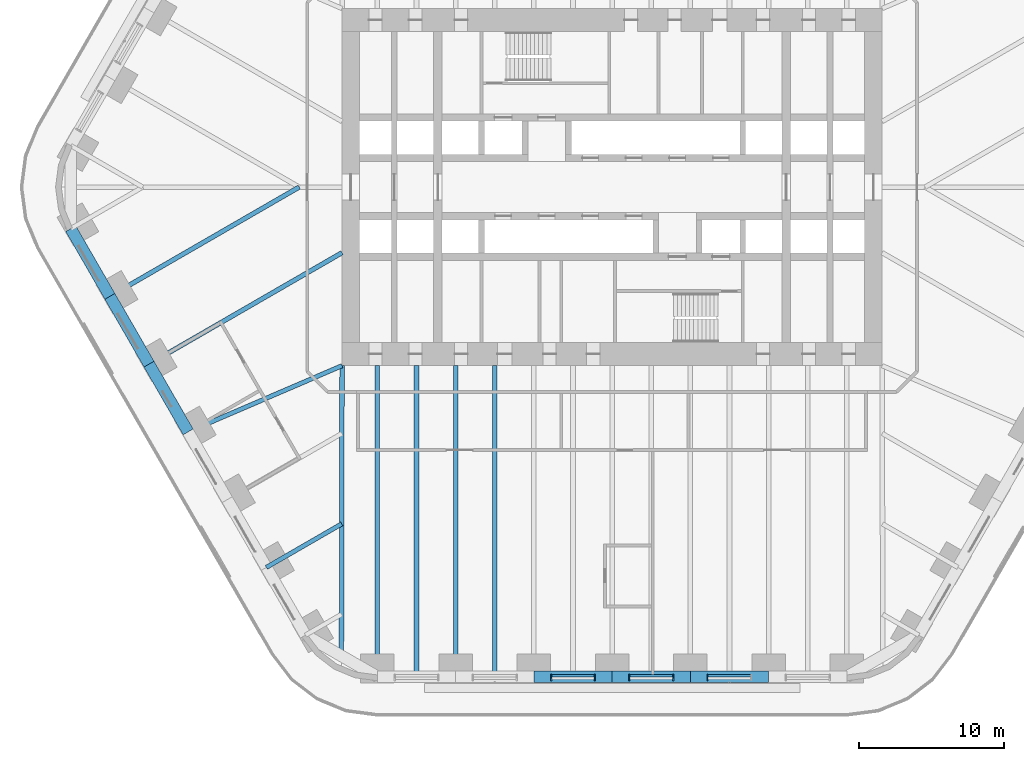
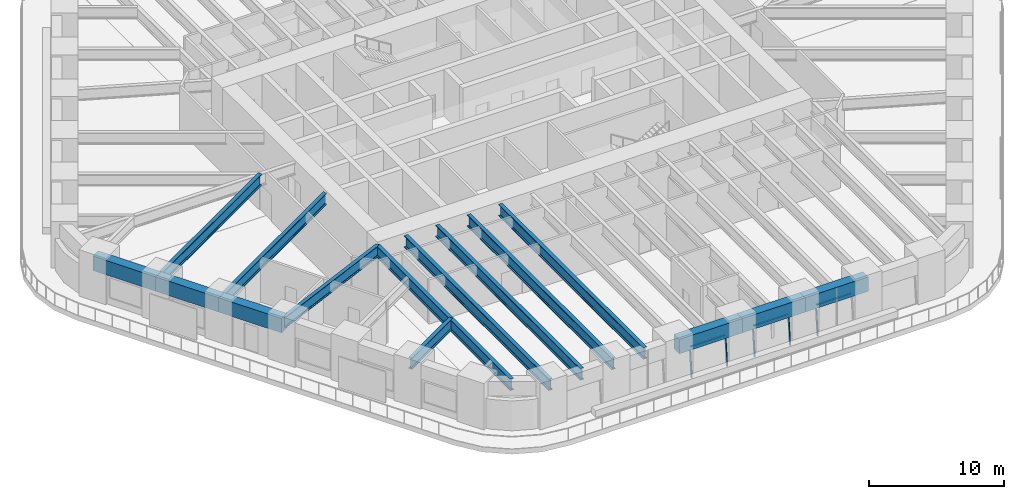
# One storey, part 3 of 23: 15 beams, 8 members, 3 elements without a shape of their own.
"""IFC4 building model written with IfcOpenShell, lengths in metres."""

from ifc_helpers import new_model, si_unit, direction, frame, origin, origin_2d, place, context, subcontext, project, spatial, rectangle, i_section, extrude, material, material_profile, profile_set, type_object, element, aggregate, save


model = new_model("IFC4")

# Units and contexts
model_context = context("Model", 3, precision=1e-05, world=origin(), true_north=direction((0.0, 1.0)))
body_context = subcontext(model_context, "Body", "Model", "MODEL_VIEW")
ifc_project = project(units=[si_unit("LENGTHUNIT", "METRE"), si_unit("AREAUNIT", "SQUARE_METRE"), si_unit("VOLUMEUNIT", "CUBIC_METRE"), si_unit("PLANEANGLEUNIT", "RADIAN"), si_unit("MASSUNIT", "GRAM", prefix="KILO")], contexts=[model_context])

# Site, building, storey
site_placement = place(None, origin())
site = spatial("IfcSite", under=ifc_project, at=site_placement, CompositionType="ELEMENT")
building_placement = place(site_placement, origin())
building = spatial("IfcBuilding", under=site, at=building_placement, Name="Tarfa Lantern Tower", CompositionType="ELEMENT")
storey_placement = place(building_placement, frame((0.0, 0.0, 27.699951171875)))
storey = spatial("IfcBuildingStorey", under=building, at=storey_placement, Name="L05", CompositionType="ELEMENT", Elevation=27.699951171875)

# Curtain wall, members
ifc_material_1 = material(Name="Aluminium framed curtain wall", Category="aluminium")
curtain_wall_type = type_object("IfcCurtainWallType", Name="CW1 CANTED GLAZING LOW ZONE 2700", PredefinedType="USERDEFINED", material=ifc_material_1)
curtain_wall_1_placement = place(storey_placement, origin())
curtain_wall_1 = element("IfcCurtainWall", 1, at=curtain_wall_1_placement, inside=storey, type_object=curtain_wall_type, Name="CW1 S L05", ObjectType="CURTAIN WALL", PredefinedType="USERDEFINED")
ifc_material_2 = material(Name="Aluminium mullion", Category="aluminium")
ifc_material_profile_1 = material_profile(ifc_material_2, rectangle(XDim=0.06494140625, YDim=0.199951171875, at=origin_2d()), Name="AL MULLION 65x200")
ifc_profile_set_1 = profile_set([ifc_material_profile_1], Name="Aluminium mullion")
member_type_1 = type_object("IfcMemberType", Name="CWM1 MULLION 65x200", PredefinedType="MULLION", material=ifc_profile_set_1)
member_1_placement = place(storey_placement, frame((-4.2060546875, -33.89990234375, 0.0), z_axis=(0.0, 0.092199863775, 0.995740520979), x_axis=(-1.0, 0.0, 0.0)))
member_1 = element("IfcMember", 2, at=member_1_placement, type_object=member_type_1, Name="CW1 mullion 1", PredefinedType="MULLION", context=body_context, shape_type="SweptSolid", body=[
    extrude(rectangle(XDim=0.06494140625, YDim=0.199951171875, at=origin_2d()), origin(), (0.0, 0.0, 1.0), 2.71142578125),
])
member_2_placement = place(storey_placement, frame((-1.1826171875, -33.89990234375, 0.0), z_axis=(0.0, 0.092199863775, 0.995740520979), x_axis=(-1.0, 0.0, 0.0)))
member_2 = element("IfcMember", 3, at=member_2_placement, type_object=member_type_1, Name="CW1 mullion 2", PredefinedType="MULLION", context=body_context, shape_type="SweptSolid", body=[
    extrude(rectangle(XDim=0.06494140625, YDim=0.199951171875, at=origin_2d()), origin(), (0.0, 0.0, 1.0), 2.71142578125),
])

curtain_wall_2_placement = place(storey_placement, origin())
curtain_wall_2 = element("IfcCurtainWall", 4, at=curtain_wall_2_placement, inside=storey, type_object=curtain_wall_type, Name="CW1 S L05", ObjectType="CURTAIN WALL", PredefinedType="USERDEFINED")
member_3_placement = place(storey_placement, frame((1.1826171875, -33.89990234375, 0.0), z_axis=(0.0, 0.092199863775, 0.995740520979), x_axis=(-1.0, 0.0, 0.0)))
member_3 = element("IfcMember", 5, at=member_3_placement, type_object=member_type_1, Name="CW1 mullion 1", PredefinedType="MULLION", context=body_context, shape_type="SweptSolid", body=[
    extrude(rectangle(XDim=0.06494140625, YDim=0.199951171875, at=origin_2d()), origin(), (0.0, 0.0, 1.0), 2.71142578125),
])
member_4_placement = place(storey_placement, frame((4.2060546875, -33.89990234375, 0.0), z_axis=(0.0, 0.092199863775, 0.995740520979), x_axis=(-1.0, 0.0, 0.0)))
member_4 = element("IfcMember", 6, at=member_4_placement, type_object=member_type_1, Name="CW1 mullion 2", PredefinedType="MULLION", context=body_context, shape_type="SweptSolid", body=[
    extrude(rectangle(XDim=0.06494140625, YDim=0.199951171875, at=origin_2d()), origin(), (0.0, 0.0, 1.0), 2.71142578125),
])

# Curtain wall, member
curtain_wall_3_placement = place(storey_placement, origin())
curtain_wall_3 = element("IfcCurtainWall", 7, at=curtain_wall_3_placement, inside=storey, type_object=curtain_wall_type, Name="CW1 S L05", ObjectType="CURTAIN WALL", PredefinedType="USERDEFINED")
member_5_placement = place(storey_placement, frame((6.571044921875, -33.89990234375, 0.0), z_axis=(0.0, 0.092199863775, 0.995740520979), x_axis=(-1.0, 0.0, 0.0)))
member_5 = element("IfcMember", 8, at=member_5_placement, type_object=member_type_1, Name="CW1 mullion 1", PredefinedType="MULLION", context=body_context, shape_type="SweptSolid", body=[
    extrude(rectangle(XDim=0.06494140625, YDim=0.199951171875, at=origin_2d()), origin(), (0.0, 0.0, 1.0), 2.71142578125),
])

# Member
ifc_material_3 = material(Name="Aluminium transom", Category="aluminium")
ifc_material_profile_2 = material_profile(ifc_material_3, rectangle(XDim=0.14990234375, YDim=0.06494140625, at=origin_2d()), Name="AL TRANSOM 150x65")
ifc_profile_set_2 = profile_set([ifc_material_profile_2], Name="Aluminium transom")
member_type_2 = type_object("IfcMemberType", Name="CWT1 TRANSOM 150x65", PredefinedType="USERDEFINED", material=ifc_profile_set_2)
member_6_placement = place(storey_placement, frame((-4.173583984375, -33.653076171875, 2.66748046875), z_axis=(1.0, 0.0, 0.0), x_axis=(0.0, 1.0, 0.0)))
member_6 = element("IfcMember", 9, at=member_6_placement, type_object=member_type_2, Name="CW1 transom 1.2", ObjectType="TRANSOM", PredefinedType="USERDEFINED", context=body_context, shape_type="SweptSolid", body=[
    extrude(rectangle(XDim=0.14990234375, YDim=0.06494140625, at=origin_2d()), origin(), (0.0, 0.0, 1.0), 2.95849609375),
])

aggregate(curtain_wall_1, [member_1, member_2, member_6])

member_7_placement = place(storey_placement, frame((1.215087890625, -33.653076171875, 2.66748046875), z_axis=(1.0, 0.0, 0.0), x_axis=(0.0, 1.0, 0.0)))
member_7 = element("IfcMember", 10, at=member_7_placement, type_object=member_type_2, Name="CW1 transom 1.2", ObjectType="TRANSOM", PredefinedType="USERDEFINED", context=body_context, shape_type="SweptSolid", body=[
    extrude(rectangle(XDim=0.14990234375, YDim=0.06494140625, at=origin_2d()), origin(), (0.0, 0.0, 1.0), 2.95849609375),
])

aggregate(curtain_wall_2, [member_3, member_4, member_7])

member_8_placement = place(storey_placement, frame((6.603515625, -33.653076171875, 2.66748046875), z_axis=(1.0, 0.0, 0.0), x_axis=(0.0, 1.0, 0.0)))
member_8 = element("IfcMember", 11, at=member_8_placement, type_object=member_type_2, Name="CW1 transom 1.2", ObjectType="TRANSOM", PredefinedType="USERDEFINED", context=body_context, shape_type="SweptSolid", body=[
    extrude(rectangle(XDim=0.14990234375, YDim=0.06494140625, at=origin_2d()), origin(), (0.0, 0.0, 1.0), 2.958740234375),
])

aggregate(curtain_wall_3, [member_5, member_8])

# Beams
ifc_material_4 = material(Name="Concrete C80/95", Category="concrete")
ifc_material_profile_3 = material_profile(ifc_material_4, rectangle(XDim=0.800048828125, YDim=1.300048828125, at=origin_2d()), Name="RC 800x1300")
ifc_profile_set_3 = profile_set([ifc_material_profile_3], Name="Concrete C80/95")
beam_type_1 = type_object("IfcBeamType", Name="EB1 RC 800x1300", PredefinedType="SPANDREL", material=ifc_profile_set_3)
beam_1_placement = place(storey_placement, frame((-37.285400390625, -2.860107421875, 3.35009765625), z_axis=(0.500017906299, -0.866015065331, 0.0), x_axis=(0.866015065331, 0.500017906299, 0.0)))
element("IfcBeam", 12, at=beam_1_placement, inside=storey, type_object=beam_type_1, Name="Edge beam SW0", PredefinedType="SPANDREL", context=body_context, shape_type="SweptSolid", body=[
    extrude(rectangle(XDim=0.800048828125, YDim=1.300048828125, at=origin_2d()), origin(), (0.0, 0.0, 1.0), 5.388427734375),
])
for number, where, z_axis, x_axis, name in (
    (13, (-34.591064453125, -7.526611328125, 3.35009765625), (0.499998287579, -0.866026392449, 0.0), (0.866026392449, 0.499998287579, 0.0), "Edge beam SW1"),
    (14, (-31.896728515625, -12.193359375, 3.35009765625), (0.499998287579, -0.866026392449, 0.0), (0.866026392449, 0.499998287579, 0.0), "Edge beam SW2"),
    (15, (-5.388671875, -33.719970703125, 3.35009765625), (1.0, 0.0, 0.0), (0.0, 1.0, 0.0), "Edge beam S2"),
    (16, (0.0, -33.719970703125, 3.35009765625), (1.0, 0.0, 0.0), (0.0, 1.0, 0.0), "Edge beam S3"),
):
    element("IfcBeam", number, at=place(storey_placement, frame(where, z_axis=z_axis, x_axis=x_axis)), inside=storey, type_object=beam_type_1, Name=name, PredefinedType="SPANDREL", context=body_context, shape_type="SweptSolid", body=[
        extrude(rectangle(XDim=0.800048828125, YDim=1.300048828125, at=origin_2d()), origin(), (0.0, 0.0, 1.0), 5.388671875),
    ])
beam_2_placement = place(storey_placement, frame((5.388671875, -33.719970703125, 3.35009765625), z_axis=(1.0, 0.0, 0.0), x_axis=(0.0, 1.0, 0.0)))
element("IfcBeam", 17, at=beam_2_placement, inside=storey, type_object=beam_type_1, Name="Edge beam S4", PredefinedType="SPANDREL", context=body_context, shape_type="SweptSolid", body=[
    extrude(rectangle(XDim=0.800048828125, YDim=1.300048828125, at=origin_2d()), origin(), (0.0, 0.0, 1.0), 5.388427734375),
])
ifc_material_5 = material(Name="Steel S460M", Category="steel")
ifc_material_profile_4 = material_profile(ifc_material_5, i_section(OverallWidth=0.302001953125, OverallDepth=1.008056640625, WebThickness=0.02099609375, FlangeThickness=0.0400390625, FilletRadius=0.030029296875, at=origin_2d()), Name="UB1016x305x349")
ifc_profile_set_4 = profile_set([ifc_material_profile_4], Name="Steel S460M")
beam_type_2 = type_object("IfcBeamType", Name="UB1016x305x349", PredefinedType="BEAM", material=ifc_profile_set_4)
beam_3_placement = place(storey_placement, frame((-29.202392578125, -16.860107421875, 3.49609375), z_axis=(0.918635483867, 0.395106122175, 0.0), x_axis=(-0.395106122175, 0.918635483867, 0.0)))
element("IfcBeam", 18, at=beam_3_placement, inside=storey, type_object=beam_type_2, Name="Floor beam SW3", PredefinedType="BEAM", context=body_context, shape_type="SweptSolid", body=[
    extrude(i_section(OverallWidth=0.302001953125, OverallDepth=1.008056640625, WebThickness=0.02099609375, FlangeThickness=0.0400390625, FilletRadius=0.030029296875, at=origin_2d()), origin(), (0.0, 0.0, 1.0), 11.541259765625),
])
beam_4_placement = place(storey_placement, frame((-23.813720703125, -26.193359375, 3.49609375), z_axis=(0.866015997389, 0.500016292001, 0.0), x_axis=(-0.500016292001, 0.866015997389, 0.0)))
element("IfcBeam", 19, at=beam_4_placement, inside=storey, type_object=beam_type_2, Name="Floor beam SW5", PredefinedType="BEAM", context=body_context, shape_type="SweptSolid", body=[
    extrude(i_section(OverallWidth=0.302001953125, OverallDepth=1.008056640625, WebThickness=0.02099609375, FlangeThickness=0.0400390625, FilletRadius=0.030029296875, at=origin_2d()), origin(), (0.0, 0.0, 1.0), 5.993408203125),
])
ifc_material_profile_5 = material_profile(ifc_material_5, i_section(OverallWidth=0.314208984375, OverallDepth=1.055908203125, WebThickness=0.035888671875, FlangeThickness=0.06396484375, FilletRadius=0.030029296875, at=origin_2d()), Name="UB1016x305x584")
ifc_profile_set_5 = profile_set([ifc_material_profile_5], Name="Steel S460M")
beam_type_3 = type_object("IfcBeamType", Name="UB1016x305x584", PredefinedType="BEAM", material=ifc_profile_set_5)
beam_5_placement = place(storey_placement, frame((-18.60009765625, -12.300048828125, 3.47216796875), z_axis=(-0.00212508222, -0.99999774201, 0.0), x_axis=(0.99999774201, -0.00212508222, 0.0)))
element("IfcBeam", 20, at=beam_5_placement, inside=storey, type_object=beam_type_3, Name="Hip girder SW", PredefinedType="BEAM", context=body_context, shape_type="SweptSolid", body=[
    extrude(i_section(OverallWidth=0.314208984375, OverallDepth=1.055908203125, WebThickness=0.035888671875, FlangeThickness=0.06396484375, FilletRadius=0.030029296875, at=origin_2d()), origin(), (0.0, 0.0, 1.0), 19.989990234375),
])
beam_6_placement = place(storey_placement, frame((-34.591064453125, -7.526611328125, 3.47216796875), z_axis=(0.86602785945, 0.499995746638, 0.0), x_axis=(-0.499995746638, 0.86602785945, 0.0)))
element("IfcBeam", 21, at=beam_6_placement, inside=storey, type_object=beam_type_3, Name="Floor beam SW1", PredefinedType="BEAM", context=body_context, shape_type="SweptSolid", body=[
    extrude(i_section(OverallWidth=0.314208984375, OverallDepth=1.055908203125, WebThickness=0.035888671875, FlangeThickness=0.06396484375, FilletRadius=0.030029296875, at=origin_2d()), origin(), (0.0, 0.0, 1.0), 15.053466796875),
])
beam_7_placement = place(storey_placement, frame((-31.896728515625, -12.193359375, 3.47216796875), z_axis=(0.866026971665, 0.499997284341, 0.0), x_axis=(-0.499997284341, 0.866026971665, 0.0)))
element("IfcBeam", 22, at=beam_7_placement, inside=storey, type_object=beam_type_3, Name="Floor beam SW2", PredefinedType="BEAM", context=body_context, shape_type="SweptSolid", body=[
    extrude(i_section(OverallWidth=0.314208984375, OverallDepth=1.055908203125, WebThickness=0.035888671875, FlangeThickness=0.06396484375, FilletRadius=0.030029296875, at=origin_2d()), origin(), (0.0, 0.0, 1.0), 15.353515625),
])
for number, where, z_axis, x_axis, name in (
    (23, (-16.165771484375, -33.719970703125, 3.47216796875), (0.0, 1.0, 0.0), (-1.0, 0.0, 0.0), "Floor beam S0"),
    (24, (-10.777099609375, -33.719970703125, 3.47216796875), (0.0, 1.0, 0.0), (-1.0, 0.0, 0.0), "Floor beam S1"),
    (25, (-13.471435546875, -33.719970703125, 3.47216796875), (0.0, 1.0, 0.0), (-1.0, 0.0, 0.0), "Floor beam S0M"),
    (26, (-8.0830078125, -33.719970703125, 3.47216796875), (0.0, 1.0, 0.0), (-1.0, 0.0, 0.0), "Floor beam S1M"),
):
    element("IfcBeam", number, at=place(storey_placement, frame(where, z_axis=z_axis, x_axis=x_axis)), inside=storey, type_object=beam_type_3, Name=name, PredefinedType="BEAM", context=body_context, shape_type="SweptSolid", body=[
        extrude(i_section(OverallWidth=0.314208984375, OverallDepth=1.055908203125, WebThickness=0.035888671875, FlangeThickness=0.06396484375, FilletRadius=0.030029296875, at=origin_2d()), origin(), (0.0, 0.0, 1.0), 21.419921875),
    ])

save(model, "model.ifc")
